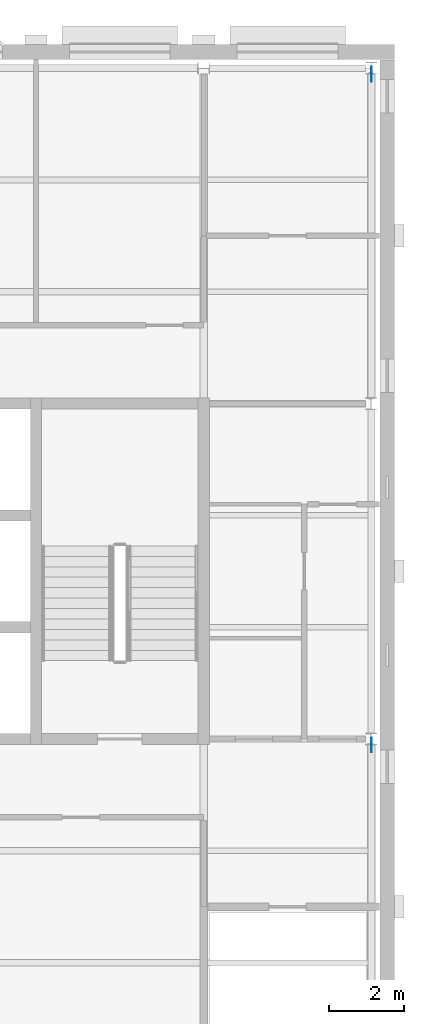
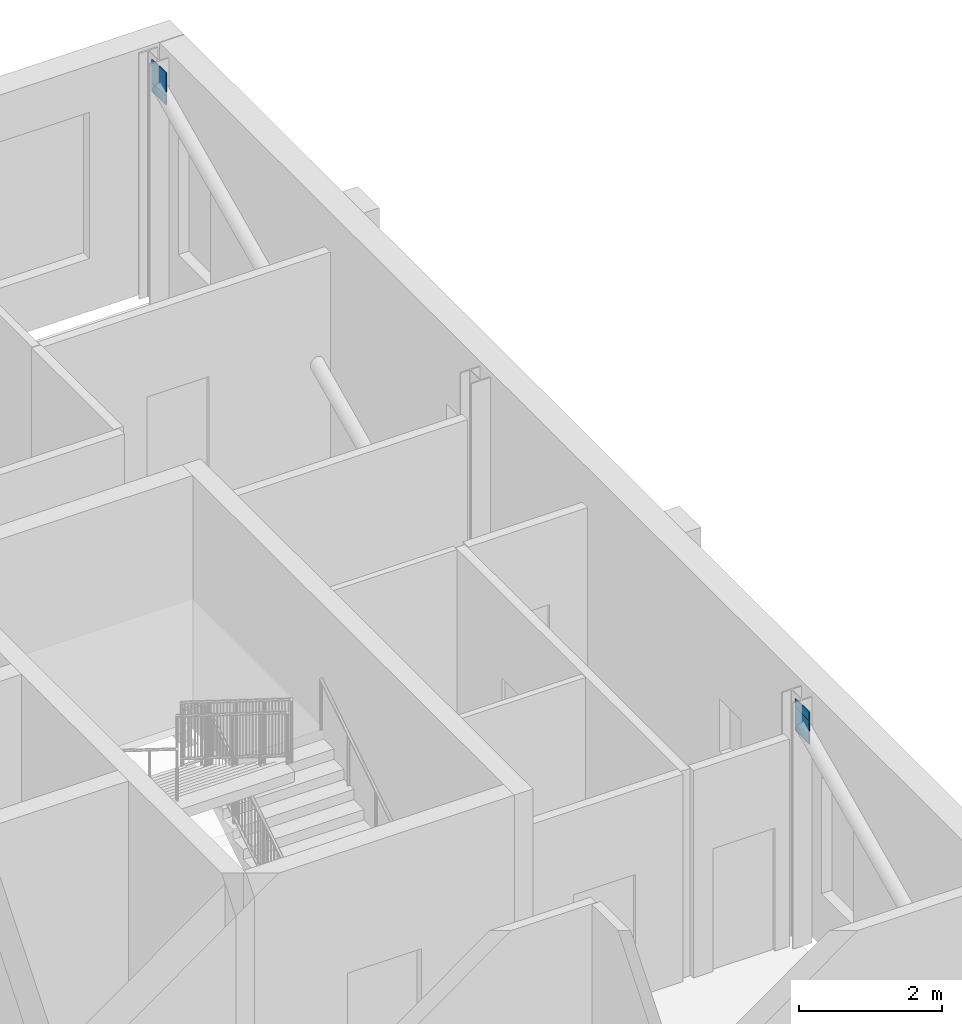
# One storey, part 7 of 9: 4 discrete accessories.
"""IFC4 building model written with IfcOpenShell, lengths in metres."""

from ifc_helpers import new_model, si_unit, direction, frame, origin, origin_2d, place, context, subcontext, project, spatial, rectangle, extrude, material, type_object, element, save


model = new_model("IFC4")

# Units and contexts
model_context = context("Model", 3, precision=1e-05, world=origin(), true_north=direction((0.0, 1.0)))
body_context = subcontext(model_context, "Body", "Model", "MODEL_VIEW")
ifc_project = project(units=[si_unit("LENGTHUNIT", "METRE"), si_unit("AREAUNIT", "SQUARE_METRE"), si_unit("VOLUMEUNIT", "CUBIC_METRE"), si_unit("PLANEANGLEUNIT", "RADIAN"), si_unit("MASSUNIT", "GRAM", prefix="KILO")], contexts=[model_context])

# Site, building, storey
site_placement = place(None, origin())
site = spatial("IfcSite", under=ifc_project, at=site_placement, CompositionType="ELEMENT")
building_placement = place(site_placement, origin())
building = spatial("IfcBuilding", under=site, at=building_placement, Name="Hortulan Conservatory and Botanical Research Centre", CompositionType="ELEMENT")
storey_placement = place(building_placement, frame((0.0, 0.0, 57.0)))
storey = spatial("IfcBuildingStorey", under=building, at=storey_placement, Name="L13", CompositionType="ELEMENT", Elevation=57.0)

# Discrete accessories
ifc_material = material(Name="Steel Grade 300 plate (AS/NZS 3678, 280 MPa minimum yield)", Category="steel")
discrete_accessory_type = type_object("IfcDiscreteAccessoryType", Name="End Plate 400x16", PredefinedType="BRACKET", material=ifc_material)
for number, where, z_axis, x_axis, name in (
    (1, (31.5, 8.839599609375, 3.566650390625), (0.0, 0.0, 1.0), (0.0, -1.0, 0.0), "Brace end plate"),
    (2, (31.5, 8.839599609375, 3.7158203125), (0.0, 0.0, 1.0), (0.0, -1.0, 0.0), "Brace end plate"),
    (3, (31.5, 26.839599609375, 3.566650390625), (0.0, 0.0, 1.0), (0.0, -1.0, 0.0), "Brace end plate"),
    (4, (31.5, 26.839599609375, 3.7158203125), (0.0, 0.0, 1.0), (0.0, -1.0, 0.0), "Brace end plate"),
):
    element("IfcDiscreteAccessory", number, at=place(storey_placement, frame(where, z_axis=z_axis, x_axis=x_axis)), inside=storey, type_object=discrete_accessory_type, Name=name, PredefinedType="BRACKET", context=body_context, shape_type="SweptSolid", body=[
        extrude(rectangle(XDim=0.39990234375, YDim=0.01611328125, at=origin_2d()), origin(), (0.0, 0.0, 1.0), 0.39990234375),
    ])

save(model, "model.ifc")
